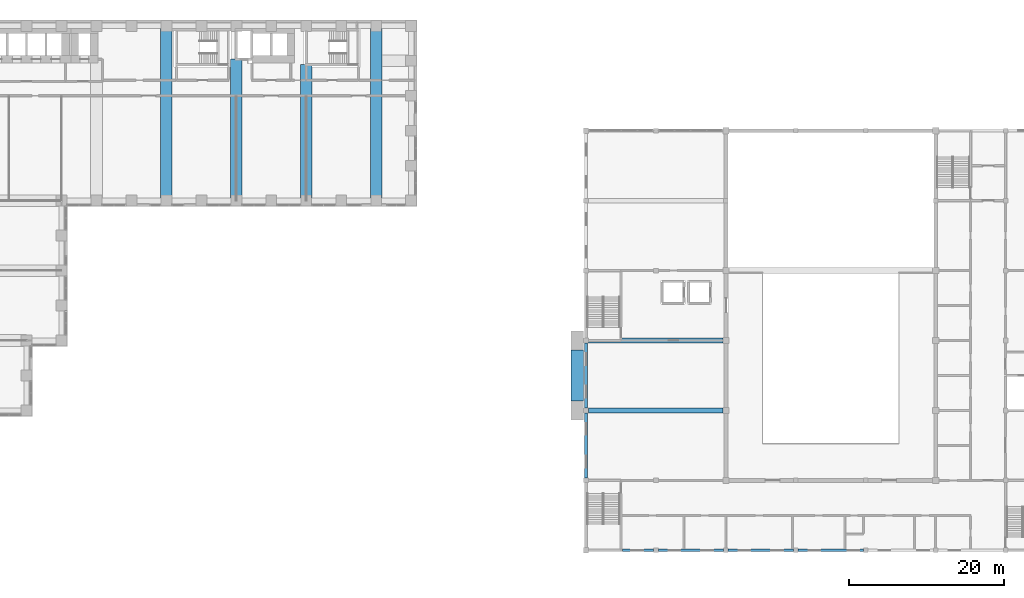
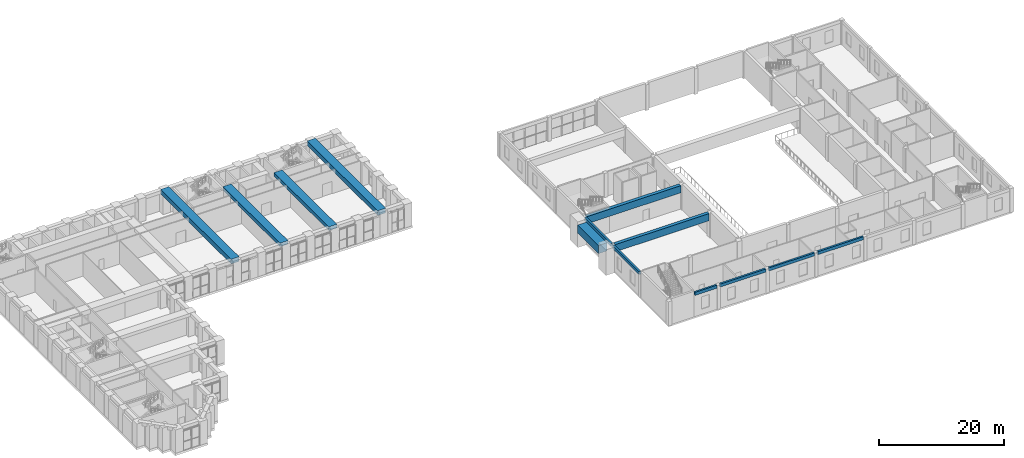
# One storey, part 7 of 34: 13 beams.
"""IFC4 building model written with IfcOpenShell, lengths in metres."""

from ifc_helpers import new_model, si_unit, direction, frame, origin, origin_2d, place, context, subcontext, project, spatial, rectangle, extrude, material, material_profile, profile_set, type_object, element, save


model = new_model("IFC4")

# Units and contexts
model_context = context("Model", 3, precision=1e-05, world=origin(), true_north=direction((0.0, 1.0)))
body_context = subcontext(model_context, "Body", "Model", "MODEL_VIEW")
ifc_project = project(units=[si_unit("LENGTHUNIT", "METRE"), si_unit("AREAUNIT", "SQUARE_METRE"), si_unit("VOLUMEUNIT", "CUBIC_METRE"), si_unit("PLANEANGLEUNIT", "RADIAN"), si_unit("MASSUNIT", "GRAM", prefix="KILO")], contexts=[model_context])

# Site, building, storey
site_placement = place(None, origin())
site = spatial("IfcSite", under=ifc_project, at=site_placement, CompositionType="ELEMENT")
building_placement = place(site_placement, origin())
building = spatial("IfcBuilding", under=site, at=building_placement, Name="Firuza Court", CompositionType="ELEMENT")
storey_placement = place(building_placement, frame((0.0, 0.0, 19.0)))
storey = spatial("IfcBuildingStorey", under=building, at=storey_placement, Name="L03", CompositionType="ELEMENT", Elevation=19.0)

# Beams
ifc_material_1 = material(Name="Concrete C40/50", Category="concrete")
ifc_material_profile_1 = material_profile(ifc_material_1, rectangle(XDim=1.5, YDim=0.699951171875, at=origin_2d()), Name="RC 1500x700")
ifc_profile_set_1 = profile_set([ifc_material_profile_1], Name="Concrete C40/50")
beam_type_1 = type_object("IfcBeamType", Name="Band beam RC 1500x700 C40/50", PredefinedType="BEAM", material=ifc_profile_set_1)
beam_1_placement = place(storey_placement, frame((45.0, 36.0, 4.199951171875), z_axis=(0.0, 1.0, 0.0), x_axis=(-1.0, 0.0, 0.0)))
element("IfcBeam", 1, at=beam_1_placement, inside=storey, type_object=beam_type_1, Name="Band beam FB1 level L04", PredefinedType="BEAM", context=body_context, shape_type="SweptSolid", body=[
    extrude(rectangle(XDim=1.5, YDim=0.699951171875, at=origin_2d()), origin(), (0.0, 0.0, 1.0), 18.199951171875),
])
beam_2_placement = place(storey_placement, frame((54.0, 36.0, 4.199951171875), z_axis=(0.0, 1.0, 0.0), x_axis=(-1.0, 0.0, 0.0)))
element("IfcBeam", 2, at=beam_2_placement, inside=storey, type_object=beam_type_1, Name="Band beam FB1 level L04", PredefinedType="BEAM", context=body_context, shape_type="SweptSolid", body=[
    extrude(rectangle(XDim=1.5, YDim=0.699951171875, at=origin_2d()), origin(), (0.0, 0.0, 1.0), 17.5),
])
ifc_material_2 = material(Name="Concrete C40/50", Category="concrete")
ifc_material_profile_2 = material_profile(ifc_material_2, rectangle(XDim=1.5, YDim=0.89990234375, at=origin_2d()), Name="RC 1500x900")
ifc_profile_set_2 = profile_set([ifc_material_profile_2], Name="Concrete C40/50")
beam_type_2 = type_object("IfcBeamType", Name="Band beam RC 1500x900 C40/50", PredefinedType="BEAM", material=ifc_profile_set_2)
for number, where, z_axis, x_axis, name in (
    (3, (36.0, 36.0, 4.10009765625), (0.0, 1.0, 0.0), (-1.0, 0.0, 0.0), "Band beam FB2 level L04"),
    (4, (63.0, 36.0, 4.10009765625), (0.0, 1.0, 0.0), (-1.0, 0.0, 0.0), "Band beam FB2 level L04"),
):
    element("IfcBeam", number, at=place(storey_placement, frame(where, z_axis=z_axis, x_axis=x_axis)), inside=storey, type_object=beam_type_2, Name=name, PredefinedType="BEAM", context=body_context, shape_type="SweptSolid", body=[
        extrude(rectangle(XDim=1.5, YDim=0.89990234375, at=origin_2d()), origin(), (0.0, 0.0, 1.0), 22.5),
    ])
ifc_material_3 = material(Name="Concrete C40/50", Category="concrete")
ifc_material_profile_3 = material_profile(ifc_material_3, rectangle(XDim=0.60009765625, YDim=1.39990234375, at=origin_2d()), Name="RC 600X1400")
ifc_profile_set_3 = profile_set([ifc_material_profile_3], Name="Concrete C40/50")
beam_type_3 = type_object("IfcBeamType", Name="RC GIRDER 600X1400", PredefinedType="BEAM", material=ifc_profile_set_3)
beam_3_placement = place(storey_placement, frame((90.300537109375, 9.0, 4.0), z_axis=(1.0, 0.0, 0.0), x_axis=(0.0, 1.0, 0.0)))
element("IfcBeam", 5, at=beam_3_placement, inside=storey, type_object=beam_type_3, Name="Girder 9 L03", PredefinedType="BEAM", context=body_context, shape_type="SweptSolid", body=[
    extrude(rectangle(XDim=0.60009765625, YDim=1.39990234375, at=origin_2d()), origin(), (0.0, 0.0, 1.0), 17.299072265625),
])
ifc_material_4 = material(Name="Concrete C40/50", Category="concrete")
ifc_material_profile_4 = material_profile(ifc_material_4, rectangle(XDim=1.60009765625, YDim=1.60009765625, at=origin_2d()), Name="RC 1600X1600")
ifc_profile_set_4 = profile_set([ifc_material_profile_4], Name="Concrete C40/50")
beam_type_4 = type_object("IfcBeamType", Name="RC LINTEL 1600X1600", PredefinedType="LINTEL", material=ifc_profile_set_4)
beam_4_placement = place(storey_placement, frame((88.85009765625, 10.199951171875, 3.60009765625), z_axis=(0.0, 1.0, 0.0), x_axis=(-1.0, 0.0, 0.0)))
element("IfcBeam", 6, at=beam_4_placement, inside=storey, type_object=beam_type_4, Name="Portal lintel", PredefinedType="LINTEL", context=body_context, shape_type="SweptSolid", body=[
    extrude(rectangle(XDim=1.60009765625, YDim=1.60009765625, at=origin_2d()), origin(), (0.0, 0.0, 1.0), 6.60009765625),
])
ifc_material_5 = material(Name="Concrete C40/50", Category="concrete")
ifc_material_profile_5 = material_profile(ifc_material_5, rectangle(XDim=0.35009765625, YDim=0.60009765625, at=origin_2d()), Name="RC 350X600")
ifc_profile_set_5 = profile_set([ifc_material_profile_5], Name="Concrete C40/50")
beam_type_5 = type_object("IfcBeamType", Name="RC RING BEAM 350X600", PredefinedType="BEAM", material=ifc_profile_set_5)
beam_5_placement = place(storey_placement, frame((94.699951171875, -9.0, 4.39990234375), z_axis=(1.0, 0.0, 0.0), x_axis=(0.0, 1.0, 0.0)))
element("IfcBeam", 7, at=beam_5_placement, inside=storey, type_object=beam_type_5, Name="Edge beam S1.1 L03", PredefinedType="BEAM", context=body_context, shape_type="SweptSolid", body=[
    extrude(rectangle(XDim=0.35009765625, YDim=0.60009765625, at=origin_2d()), origin(), (0.0, 0.0, 1.0), 4.0),
])
for number, where, z_axis, x_axis, name in (
    (8, (99.300048828125, -9.0, 4.39990234375), (1.0, 0.0, 0.0), (0.0, 1.0, 0.0), "Edge beam S3.1 L03"),
    (9, (108.300048828125, -9.0, 4.39990234375), (1.0, 0.0, 0.0), (0.0, 1.0, 0.0), "Edge beam S5.1 L03"),
    (10, (117.300048828125, -9.0, 4.39990234375), (1.0, 0.0, 0.0), (0.0, 1.0, 0.0), "Edge beam S7.1 L03"),
    (11, (90.0, 0.300048828125, 4.39990234375), (0.0, 1.0, 0.0), (-1.0, 0.0, 0.0), "Edge beam W3.1 L03"),
    (12, (90.0, 9.300048828125, 4.39990234375), (0.0, 1.0, 0.0), (-1.0, 0.0, 0.0), "Edge beam W5.1 L03"),
):
    element("IfcBeam", number, at=place(storey_placement, frame(where, z_axis=z_axis, x_axis=x_axis)), inside=storey, type_object=beam_type_5, Name=name, PredefinedType="BEAM", context=body_context, shape_type="SweptSolid", body=[
        extrude(rectangle(XDim=0.35009765625, YDim=0.60009765625, at=origin_2d()), origin(), (0.0, 0.0, 1.0), 8.39990234375),
    ])
ifc_material_6 = material(Name="Concrete C40/50", Category="concrete")
ifc_material_profile_6 = material_profile(ifc_material_6, rectangle(XDim=0.60009765625, YDim=1.39990234375, at=origin_2d()), Name="RC 600X1400")
ifc_profile_set_6 = profile_set([ifc_material_profile_6], Name="Concrete C40/50")
beam_type_6 = type_object("IfcBeamType", Name="RC WALL BEAM 600X1400", PredefinedType="BEAM", material=ifc_profile_set_6)
beam_6_placement = place(storey_placement, frame((90.300537109375, 18.0, 4.0), z_axis=(1.0, 0.0, 0.0), x_axis=(0.0, 1.0, 0.0)))
element("IfcBeam", 13, at=beam_6_placement, inside=storey, type_object=beam_type_6, Name="Girder 18 L03", PredefinedType="BEAM", context=body_context, shape_type="SweptSolid", body=[
    extrude(rectangle(XDim=0.60009765625, YDim=1.39990234375, at=origin_2d()), origin(), (0.0, 0.0, 1.0), 17.299072265625),
])

save(model, "model.ifc")
